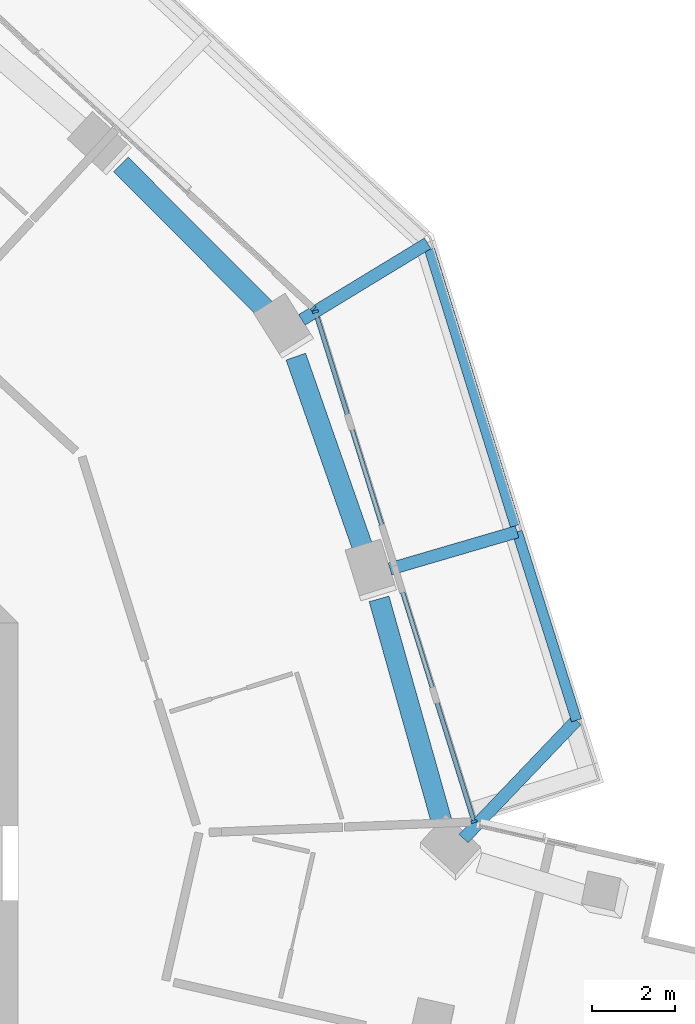
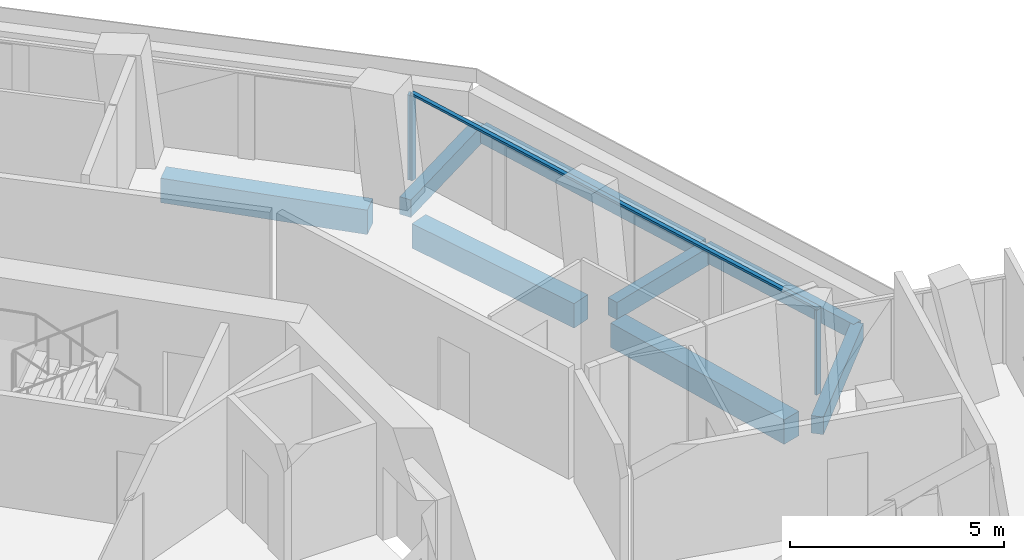
# One storey, part 9 of 25: 8 beams, 4 members, 2 elements without a shape of their own.
"""IFC4 building model written with IfcOpenShell, lengths in metres."""

from ifc_helpers import new_model, si_unit, direction, frame, origin, origin_2d, place, context, subcontext, project, spatial, rectangle, extrude, material, layer, layer_set, material_profile, profile_set, type_object, element, aggregate, save


model = new_model("IFC4")

# Units and contexts
model_context = context("Model", 3, precision=1e-05, world=origin(), true_north=direction((0.0, 1.0)))
body_context = subcontext(model_context, "Body", "Model", "MODEL_VIEW")
ifc_project = project(units=[si_unit("LENGTHUNIT", "METRE"), si_unit("AREAUNIT", "SQUARE_METRE"), si_unit("VOLUMEUNIT", "CUBIC_METRE"), si_unit("PLANEANGLEUNIT", "RADIAN"), si_unit("MASSUNIT", "GRAM", prefix="KILO")], contexts=[model_context])

# Site, building, storey
site_placement = place(None, origin())
site = spatial("IfcSite", under=ifc_project, at=site_placement, CompositionType="ELEMENT")
building_placement = place(site_placement, origin())
building = spatial("IfcBuilding", under=site, at=building_placement, Name="Verdalira Terraces Hotel", CompositionType="ELEMENT")
storey_placement = place(building_placement, frame((0.0, 0.0, 103.5)))
storey = spatial("IfcBuildingStorey", under=building, at=storey_placement, Name="L24", CompositionType="ELEMENT", Elevation=103.5)

# Beams
ifc_material_1 = material(Name="Concrete C40", Category="concrete")
ifc_material_profile_1 = material_profile(ifc_material_1, rectangle(XDim=0.300049, YDim=0.5, at=origin_2d()), Name="RC 300X500")
ifc_profile_set_1 = profile_set([ifc_material_profile_1], Name="Concrete C40")
beam_type_1 = type_object("IfcBeamType", Name="Balcony cantilever beam RC 300X500 C40", PredefinedType="BEAM", material=ifc_profile_set_1)
beam_1_placement = place(storey_placement, frame((24.762695, 0.592529, -0.560059), z_axis=(0.690633021, 0.723205386, 0.0), x_axis=(-0.723205386, 0.690633021, 0.0)))
element("IfcBeam", 1, at=beam_1_placement, inside=storey, type_object=beam_type_1, Name="Balcony cantilever beam R39-1", PredefinedType="BEAM", context=body_context, shape_type="SweptSolid", body=[
    extrude(rectangle(XDim=0.300049, YDim=0.5, at=origin_2d()), origin(), (0.0, 0.0, 1.0), 3.949951),
])
beam_2_placement = place(storey_placement, frame((22.984863, 7.105713, -0.560059), z_axis=(0.959727877, 0.280931312, 0.0), x_axis=(-0.280931312, 0.959727877, 0.0)))
element("IfcBeam", 2, at=beam_2_placement, inside=storey, type_object=beam_type_1, Name="Balcony cantilever beam R39-2", PredefinedType="BEAM", context=body_context, shape_type="SweptSolid", body=[
    extrude(rectangle(XDim=0.300049, YDim=0.5, at=origin_2d()), origin(), (0.0, 0.0, 1.0), 3.200684),
])
beam_3_placement = place(storey_placement, frame((20.856934, 13.123779, -0.560059), z_axis=(0.854315178, 0.519755305, 0.0), x_axis=(-0.519755305, 0.854315178, 0.0)))
element("IfcBeam", 3, at=beam_3_placement, inside=storey, type_object=beam_type_1, Name="Balcony cantilever beam R39-3", PredefinedType="BEAM", context=body_context, shape_type="SweptSolid", body=[
    extrude(rectangle(XDim=0.300049, YDim=0.5, at=origin_2d()), origin(), (0.0, 0.0, 1.0), 3.556641),
])
ifc_material_2 = material(Name="Concrete C40", Category="concrete")
ifc_material_profile_2 = material_profile(ifc_material_2, rectangle(XDim=0.25, YDim=0.449951, at=origin_2d()), Name="RC 250X450")
ifc_profile_set_2 = profile_set([ifc_material_profile_2], Name="Concrete C40")
beam_type_2 = type_object("IfcBeamType", Name="Balcony edge beam RC 250X450 C40", PredefinedType="BEAM", material=ifc_profile_set_2)
beam_4_placement = place(storey_placement, frame((27.490723, 3.449219, -0.534912), z_axis=(-0.300265205, 0.953855758, 0.0), x_axis=(-0.953855758, -0.300265205, 0.0)))
element("IfcBeam", 4, at=beam_4_placement, inside=storey, type_object=beam_type_2, Name="Balcony edge beam R39-1", PredefinedType="BEAM", context=body_context, shape_type="SweptSolid", body=[
    extrude(rectangle(XDim=0.25, YDim=0.449951, at=origin_2d()), origin(), (0.0, 0.0, 1.0), 4.776123),
])
beam_5_placement = place(storey_placement, frame((26.012207, 8.148193, -0.534912), z_axis=(-0.296271784, 0.955103675, 0.0), x_axis=(-0.955103675, -0.296271784, 0.0)))
element("IfcBeam", 5, at=beam_5_placement, inside=storey, type_object=beam_type_2, Name="Balcony edge beam R39-2", PredefinedType="BEAM", context=body_context, shape_type="SweptSolid", body=[
    extrude(rectangle(XDim=0.25, YDim=0.449951, at=origin_2d()), origin(), (0.0, 0.0, 1.0), 6.990234),
])

# Curtain wall, members
ifc_material_3 = material(Name="Clear glass", Category="glass")
ifc_layer = layer(ifc_material_3, 0.14990234375)
ifc_layer_set = layer_set([ifc_layer], Name="CW1 curtain wall")
curtain_wall_type = type_object("IfcCurtainWallType", Name="CW1 curtain wall", PredefinedType="NOTDEFINED", material=ifc_layer_set)
curtain_wall_1_placement = place(storey_placement, origin())
curtain_wall_1 = element("IfcCurtainWall", 6, at=curtain_wall_1_placement, inside=storey, type_object=curtain_wall_type, Name="CW1 curtain wall L24 edge 39", PredefinedType="NOTDEFINED")
ifc_material_4 = material(Name="Terracotta frame", Category="masonry")
ifc_material_profile_3 = material_profile(ifc_material_4, rectangle(XDim=0.060059, YDim=0.149902, at=origin_2d()), Name="MU 60x150")
ifc_profile_set_3 = profile_set([ifc_material_profile_3], Name="Terracotta frame")
member_type_1 = type_object("IfcMemberType", Name="CW1 mullion 60x150", PredefinedType="MULLION", material=ifc_profile_set_3)
member_1_placement = place(storey_placement, frame((25.013672, 1.005371, 0.0), z_axis=(0.0, 0.0, 1.0), x_axis=(-0.297041582, 0.954864545, 0.0)))
member_1 = element("IfcMember", 7, at=member_1_placement, type_object=member_type_1, Name="CW1 mullion", PredefinedType="MULLION", context=body_context, shape_type="SweptSolid", body=[
    extrude(rectangle(XDim=0.060059, YDim=0.149902, at=origin_2d()), origin(), (0.0, 0.0, 1.0), 2.425049),
])
member_2_placement = place(storey_placement, frame((21.181885, 13.322998, 0.0), z_axis=(0.0, 0.0, 1.0), x_axis=(-0.297041582, 0.954864545, 0.0)))
member_2 = element("IfcMember", 8, at=member_2_placement, type_object=member_type_1, Name="CW1 mullion", PredefinedType="MULLION", context=body_context, shape_type="SweptSolid", body=[
    extrude(rectangle(XDim=0.060059, YDim=0.149902, at=origin_2d()), origin(), (0.0, 0.0, 1.0), 2.425049),
])

# Curtain wall, member
curtain_wall_2_placement = place(storey_placement, origin())
curtain_wall_2 = element("IfcCurtainWall", 9, at=curtain_wall_2_placement, inside=storey, type_object=curtain_wall_type, Name="CW1 curtain wall L24 edge 40", PredefinedType="NOTDEFINED")
member_3_placement = place(storey_placement, frame((21.130127, 13.404785, 0.0), z_axis=(0.0, 0.0, 1.0), x_axis=(-0.734677828, 0.678416162, 0.0)))
member_3 = element("IfcMember", 10, at=member_3_placement, type_object=member_type_1, Name="CW1 mullion", PredefinedType="MULLION", context=body_context, shape_type="SweptSolid", body=[
    extrude(rectangle(XDim=0.060059, YDim=0.149902, at=origin_2d()), origin(), (0.0, 0.0, 1.0), 2.425049),
])
aggregate(curtain_wall_2, [member_3])

# Member
ifc_material_5 = material(Name="Terracotta frame", Category="masonry")
ifc_material_profile_4 = material_profile(ifc_material_5, rectangle(XDim=0.110107, YDim=0.064941, at=origin_2d()), Name="TR 65x110")
ifc_profile_set_4 = profile_set([ifc_material_profile_4], Name="Terracotta frame")
member_type_2 = type_object("IfcMemberType", Name="CW1 transom 65x110", PredefinedType="USERDEFINED", material=ifc_profile_set_4)
member_4_placement = place(storey_placement, frame((25.022461, 0.976807, 2.45752), z_axis=(-0.297039071, 0.954865326, 0.0), x_axis=(-0.954865326, -0.297039071, 0.0)))
member_4 = element("IfcMember", 11, at=member_4_placement, type_object=member_type_2, Name="CW1 transom", ObjectType="TRANSOM", PredefinedType="USERDEFINED", context=body_context, shape_type="SweptSolid", body=[
    extrude(rectangle(XDim=0.110107, YDim=0.064941, at=origin_2d()), origin(), (0.0, 0.0, 1.0), 12.959961),
])

aggregate(curtain_wall_1, [member_1, member_2, member_4])

# Beams
ifc_material_6 = material(Name="Concrete C70", Category="concrete")
ifc_material_profile_5 = material_profile(ifc_material_6, rectangle(XDim=0.5, YDim=0.699951, at=origin_2d()), Name="RC 500X700")
ifc_profile_set_5 = profile_set([ifc_material_profile_5], Name="Concrete C70")
beam_type_3 = type_object("IfcBeamType", Name="Spandrel beam RC 500X700 C70", PredefinedType="SPANDREL", material=ifc_profile_set_5)
beam_6_placement = place(storey_placement, frame((24.256104, 0.923096, -0.659912), z_axis=(-0.270630889, 0.962683189, 0.0), x_axis=(-0.962683189, -0.270630889, 0.0)))
element("IfcBeam", 12, at=beam_6_placement, inside=storey, type_object=beam_type_3, Name="Spandrel beam B24", PredefinedType="SPANDREL", context=body_context, shape_type="SweptSolid", body=[
    extrude(rectangle(XDim=0.5, YDim=0.699951, at=origin_2d()), origin(), (0.0, 0.0, 1.0), 5.671631),
])
beam_7_placement = place(storey_placement, frame((22.366943, 7.505371, -0.659912), z_axis=(-0.330439379, 0.943827218, 0.0), x_axis=(-0.943827218, -0.330439379, 0.0)))
element("IfcBeam", 13, at=beam_7_placement, inside=storey, type_object=beam_type_3, Name="Spandrel beam B25", PredefinedType="SPANDREL", context=body_context, shape_type="SweptSolid", body=[
    extrude(rectangle(XDim=0.5, YDim=0.699951, at=origin_2d()), origin(), (0.0, 0.0, 1.0), 5.012207),
])
beam_8_placement = place(storey_placement, frame((20.024902, 13.325928, -0.659912), z_axis=(-0.70591319, 0.708298361, 0.0), x_axis=(-0.708298361, -0.70591319, 0.0)))
element("IfcBeam", 14, at=beam_8_placement, inside=storey, type_object=beam_type_3, Name="Spandrel beam B26", PredefinedType="SPANDREL", context=body_context, shape_type="SweptSolid", body=[
    extrude(rectangle(XDim=0.5, YDim=0.699951, at=origin_2d()), origin(), (0.0, 0.0, 1.0), 5.015625),
])

save(model, "model.ifc")
